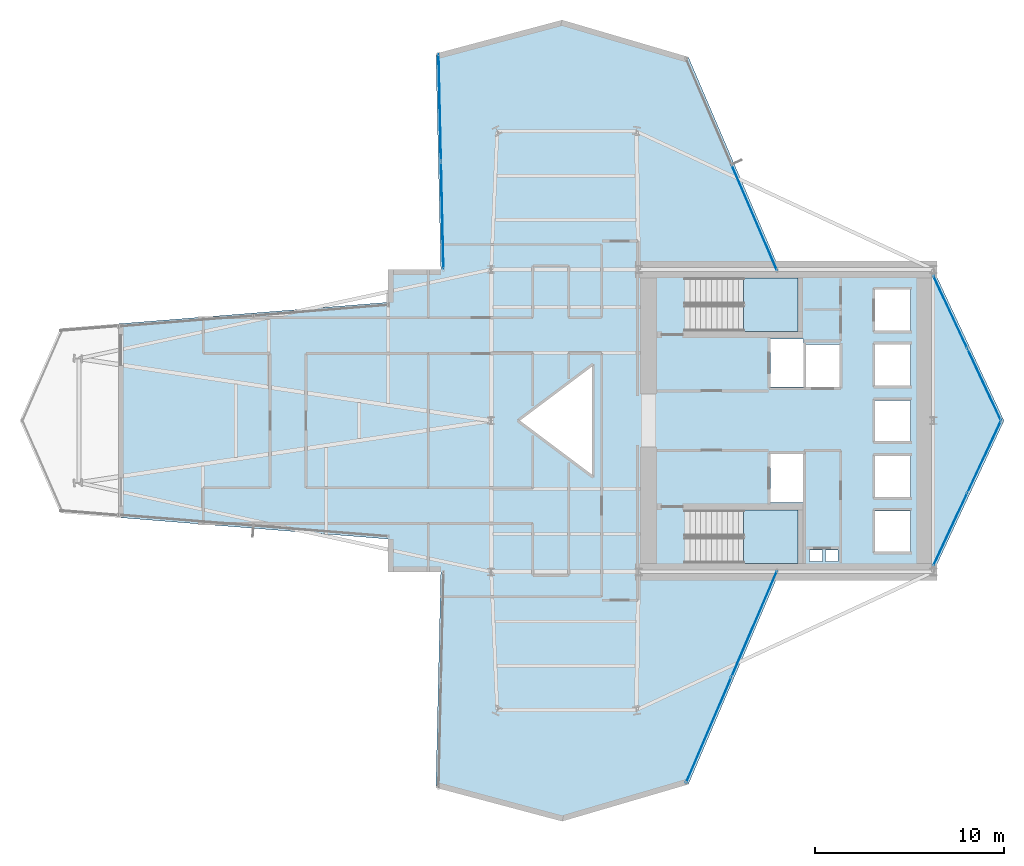
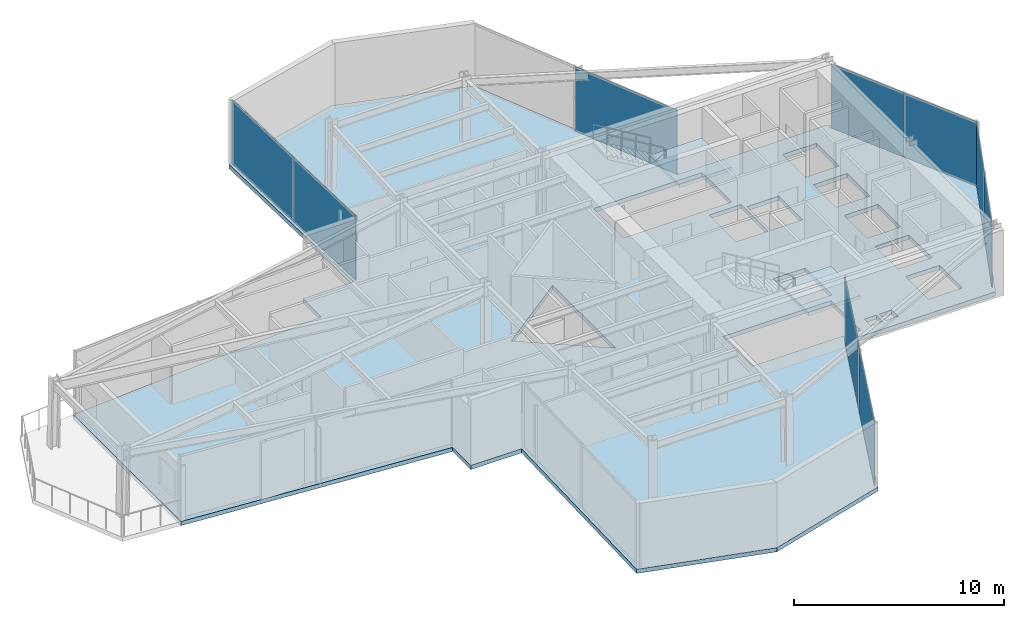
# One storey, part 21 of 27: 9 plates, 3 slabs, 7 elements without a shape of their own.
"""IFC4 building model written with IfcOpenShell, lengths in metres."""

from ifc_helpers import new_model, si_unit, direction, frame, origin, origin_2d, place, context, subcontext, project, spatial, polyline, rectangle, outline, extrude, material, layer, layer_set, type_object, element, aggregate, save


model = new_model("IFC4")

# Units and contexts
model_context = context("Model", 3, precision=1e-05, world=origin(), true_north=direction((0.0, 1.0)))
body_context = subcontext(model_context, "Body", "Model", "MODEL_VIEW")
ifc_project = project(units=[si_unit("LENGTHUNIT", "METRE"), si_unit("AREAUNIT", "SQUARE_METRE"), si_unit("VOLUMEUNIT", "CUBIC_METRE"), si_unit("PLANEANGLEUNIT", "RADIAN"), si_unit("MASSUNIT", "GRAM", prefix="KILO")], contexts=[model_context])

# Site, building, storey
site_placement = place(None, origin())
site = spatial("IfcSite", under=ifc_project, at=site_placement, CompositionType="ELEMENT")
building_placement = place(site_placement, origin())
building = spatial("IfcBuilding", under=site, at=building_placement, Name="Veymaron Broadcast Tower", CompositionType="ELEMENT")
storey_placement = place(building_placement, frame((0.0, 0.0, 86.39990234375)))
storey = spatial("IfcBuildingStorey", under=building, at=storey_placement, Name="L19", CompositionType="ELEMENT", Elevation=86.39990234375)

# Curtain wall, plates
ifc_material_1 = material(Name="Anodised aluminium AA 6063-T6 and laminated low-E dark glass", Category="aluminium")
ifc_layer_1 = layer(ifc_material_1, 0.179931640625)
ifc_layer_set_1 = layer_set([ifc_layer_1], Name="Anodised aluminium AA 6063-T6 and laminated low-E dark glass")
curtain_wall_type = type_object("IfcCurtainWallType", Name="CW-SYS-02", PredefinedType="NOTDEFINED", material=ifc_layer_set_1)
curtain_wall_1_placement = place(storey_placement, origin())
curtain_wall_1 = element("IfcCurtainWall", 1, at=curtain_wall_1_placement, inside=storey, type_object=curtain_wall_type, Name="L19 dark-glass curtain wall CW-L19-E1-1", PredefinedType="NOTDEFINED")
ifc_material_2 = material(Name="Double-silver solar-control dark glass IGU 32 mm", Category="glass")
ifc_layer_2 = layer(ifc_material_2, 0.031982421875)
ifc_layer_set_2 = layer_set([ifc_layer_2], Name="Double-silver solar-control dark glass IGU 32 mm")
plate_type = type_object("IfcPlateType", Name="CW-PNL-02", PredefinedType="CURTAIN_PANEL", material=ifc_layer_set_2)
plate_1_placement = place(storey_placement, frame((42.711181640625, 7.628173828125, 0.0400390625), z_axis=(0.0, 0.0, 1.0), x_axis=(0.394407075311, 0.918935829612, 0.0)))
plate_1 = element("IfcPlate", 2, at=plate_1_placement, type_object=plate_type, Name="CW-L19-E1-1 unitised curtain panel 0", PredefinedType="CURTAIN_PANEL", context=body_context, shape_type="SweptSolid", body=[
    extrude(rectangle(XDim=6.0537109375, YDim=0.031982421875, at=origin_2d()), origin(), (0.0, 0.0, 1.0), 3.72998046875),
])
plate_2_placement = place(storey_placement, frame((45.122314453125, 13.24609375, 0.0400390625), z_axis=(0.0, 0.0, 1.0), x_axis=(0.394407075311, 0.918935829612, 0.0)))
plate_2 = element("IfcPlate", 3, at=plate_2_placement, type_object=plate_type, Name="CW-L19-E1-1 unitised curtain panel 1", PredefinedType="CURTAIN_PANEL", context=body_context, shape_type="SweptSolid", body=[
    extrude(rectangle(XDim=6.0537109375, YDim=0.031982421875, at=origin_2d()), origin(), (0.0, 0.0, 1.0), 3.72998046875),
])
aggregate(curtain_wall_1, [plate_1, plate_2])

curtain_wall_2_placement = place(storey_placement, origin())
curtain_wall_2 = element("IfcCurtainWall", 4, at=curtain_wall_2_placement, inside=storey, type_object=curtain_wall_type, Name="L19 dark-glass curtain wall CW-L19-E3-1", PredefinedType="NOTDEFINED")
plate_3_placement = place(storey_placement, frame((55.497802734375, 18.251953125, 0.0400390625), z_axis=(0.0, 0.0, 1.0), x_axis=(0.423329943793, 0.905975583936, 0.0)))
plate_3 = element("IfcPlate", 5, at=plate_3_placement, type_object=plate_type, Name="CW-L19-E3-1 unitised curtain panel 0", PredefinedType="CURTAIN_PANEL", context=body_context, shape_type="SweptSolid", body=[
    extrude(rectangle(XDim=4.21337890625, YDim=0.031982421875, at=origin_2d()), origin(), (0.0, 0.0, 1.0), 3.72998046875),
])
plate_4_placement = place(storey_placement, frame((57.306640625, 22.12353515625, 0.0400390625), z_axis=(0.0, 0.0, 1.0), x_axis=(0.423329943793, 0.905975583936, 0.0)))
plate_4 = element("IfcPlate", 6, at=plate_4_placement, type_object=plate_type, Name="CW-L19-E3-1 unitised curtain panel 1", PredefinedType="CURTAIN_PANEL", context=body_context, shape_type="SweptSolid", body=[
    extrude(rectangle(XDim=4.21337890625, YDim=0.031982421875, at=origin_2d()), origin(), (0.0, 0.0, 1.0), 3.72998046875),
])
aggregate(curtain_wall_2, [plate_3, plate_4])

curtain_wall_3_placement = place(storey_placement, origin())
curtain_wall_3 = element("IfcCurtainWall", 7, at=curtain_wall_3_placement, inside=storey, type_object=curtain_wall_type, Name="L19 dark-glass curtain wall CW-L19-E4-1", PredefinedType="NOTDEFINED")
plate_5_placement = place(storey_placement, frame((57.306640625, 25.87646484375, 0.0400390625), z_axis=(0.0, 0.0, 1.0), x_axis=(-0.423329943793, 0.905975583936, 0.0)))
plate_5 = element("IfcPlate", 8, at=plate_5_placement, type_object=plate_type, Name="CW-L19-E4-1 unitised curtain panel 0", PredefinedType="CURTAIN_PANEL", context=body_context, shape_type="SweptSolid", body=[
    extrude(rectangle(XDim=4.21337890625, YDim=0.031982421875, at=origin_2d()), origin(), (0.0, 0.0, 1.0), 3.72998046875),
])
plate_6_placement = place(storey_placement, frame((55.497802734375, 29.748046875, 0.0400390625), z_axis=(0.0, 0.0, 1.0), x_axis=(-0.423329943793, 0.905975583936, 0.0)))
plate_6 = element("IfcPlate", 9, at=plate_6_placement, type_object=plate_type, Name="CW-L19-E4-1 unitised curtain panel 1", PredefinedType="CURTAIN_PANEL", context=body_context, shape_type="SweptSolid", body=[
    extrude(rectangle(XDim=4.21337890625, YDim=0.031982421875, at=origin_2d()), origin(), (0.0, 0.0, 1.0), 3.72998046875),
])
aggregate(curtain_wall_3, [plate_5, plate_6])

# Curtain wall, plate
curtain_wall_4_placement = place(storey_placement, origin())
curtain_wall_4 = element("IfcCurtainWall", 10, at=curtain_wall_4_placement, inside=storey, type_object=curtain_wall_type, Name="L19 dark-glass curtain wall CW-L19-E6-1", PredefinedType="NOTDEFINED")
plate_7_placement = place(storey_placement, frame((45.122314453125, 34.75390625, 0.0400390625), z_axis=(0.0, 0.0, 1.0), x_axis=(-0.394407075311, 0.918935829612, 0.0)))
plate_7 = element("IfcPlate", 11, at=plate_7_placement, type_object=plate_type, Name="CW-L19-E6-1 unitised curtain panel 0", PredefinedType="CURTAIN_PANEL", context=body_context, shape_type="SweptSolid", body=[
    extrude(rectangle(XDim=6.0537109375, YDim=0.031982421875, at=origin_2d()), origin(), (0.0, 0.0, 1.0), 3.72998046875),
])
aggregate(curtain_wall_4, [plate_7])

# Curtain wall, plates
curtain_wall_5_placement = place(storey_placement, origin())
curtain_wall_5 = element("IfcCurtainWall", 12, at=curtain_wall_5_placement, inside=storey, type_object=curtain_wall_type, Name="L19 dark-glass curtain wall CW-L19-E9-1", PredefinedType="NOTDEFINED")
plate_8_placement = place(storey_placement, frame((28.478759765625, 40.563720703125, 0.0400390625), z_axis=(0.0, 0.0, 1.0), x_axis=(0.022774577487, -0.999740625673, 0.0)))
plate_8 = element("IfcPlate", 13, at=plate_8_placement, type_object=plate_type, Name="CW-L19-E9-1 unitised curtain panel 0", PredefinedType="CURTAIN_PANEL", context=body_context, shape_type="SweptSolid", body=[
    extrude(rectangle(XDim=5.6484375, YDim=0.031982421875, at=origin_2d()), origin(), (0.0, 0.0, 1.0), 3.72998046875),
])
plate_9_placement = place(storey_placement, frame((28.60888671875, 34.856689453125, 0.0400390625), z_axis=(0.0, 0.0, 1.0), x_axis=(0.022774577487, -0.999740625673, 0.0)))
plate_9 = element("IfcPlate", 14, at=plate_9_placement, type_object=plate_type, Name="CW-L19-E9-1 unitised curtain panel 1", PredefinedType="CURTAIN_PANEL", context=body_context, shape_type="SweptSolid", body=[
    extrude(rectangle(XDim=5.6484375, YDim=0.031982421875, at=origin_2d()), origin(), (0.0, 0.0, 1.0), 3.72998046875),
])
aggregate(curtain_wall_5, [plate_8, plate_9])

# Slab
ifc_material_3 = material(Name="Concrete C40/50", Category="concrete")
ifc_layer_3 = layer(ifc_material_3, 0.239990234375)
ifc_layer_set_3 = layer_set([ifc_layer_3], Name="Concrete C40/50")
slab_type_1 = type_object("IfcSlabType", Name="SLAB-FS6", PredefinedType="FLOOR", material=ifc_layer_set_3)
slab_1_placement = place(storey_placement, frame((0.0, 0.0, -0.239990234375)))
element("IfcSlab", 15, at=slab_1_placement, inside=storey, type_object=slab_type_1, Name="L19 structural floor slab", PredefinedType="FLOOR", context=body_context, shape_type="SweptSolid", body=[
    extrude(outline(polyline([(41.63427734375, 4.763916015625), (46.45654296875, 16.0), (54.60009765625, 16.0), (58.337890625, 24.0), (54.60009765625, 32.0), (46.45654296875, 32.0), (41.63427734375, 43.236083984375), (34.9541015625, 45.194091796875), (28.273681640625, 43.4140625), (28.53369140625, 32.0), (25.751953125, 32.0), (25.751953125, 30.263916015625), (11.464111328125, 29.125732421875), (11.464111328125, 18.874267578125), (25.751953125, 17.736083984375), (25.751953125, 16.0), (28.53369140625, 16.0), (28.273681640625, 4.5859375), (34.9541015625, 2.805908203125), (41.63427734375, 4.763916015625)]), holes=[polyline([(45.969970703125, 28.330078125), (47.72998046875, 28.330078125), (47.72998046875, 25.77001953125), (45.969970703125, 25.77001953125), (45.969970703125, 28.330078125)]), polyline([(45.969970703125, 22.22998046875), (47.72998046875, 22.22998046875), (47.72998046875, 19.669921875), (45.969970703125, 19.669921875), (45.969970703125, 22.22998046875)]), polyline([(47.8701171875, 28.030029296875), (49.6298828125, 28.030029296875), (49.6298828125, 25.77001953125), (47.8701171875, 25.77001953125), (47.8701171875, 28.030029296875)]), polyline([(51.52001953125, 30.929931640625), (53.3798828125, 30.929931640625), (53.3798828125, 28.77001953125), (51.52001953125, 28.77001953125), (51.52001953125, 30.929931640625)]), polyline([(51.52001953125, 28.030029296875), (53.3798828125, 28.030029296875), (53.3798828125, 25.8701171875), (51.52001953125, 25.8701171875), (51.52001953125, 28.030029296875)]), polyline([(51.52001953125, 22.1298828125), (53.3798828125, 22.1298828125), (53.3798828125, 19.969970703125), (51.52001953125, 19.969970703125), (51.52001953125, 22.1298828125)]), polyline([(51.52001953125, 25.080078125), (53.3798828125, 25.080078125), (53.3798828125, 22.919921875), (51.52001953125, 22.919921875), (51.52001953125, 25.080078125)]), polyline([(51.52001953125, 19.22998046875), (53.3798828125, 19.22998046875), (53.3798828125, 17.070068359375), (51.52001953125, 17.070068359375), (51.52001953125, 19.22998046875)]), polyline([(48.050048828125, 17.159912109375), (48.719970703125, 17.159912109375), (48.719970703125, 16.56005859375), (48.050048828125, 16.56005859375), (48.050048828125, 17.159912109375)]), polyline([(48.8798828125, 17.159912109375), (49.550048828125, 17.159912109375), (49.550048828125, 16.56005859375), (48.8798828125, 16.56005859375), (48.8798828125, 17.159912109375)]), polyline([(36.60009765625, 27.0), (36.60009765625, 21.0), (32.60009765625, 24.0), (36.60009765625, 27.0)]), polyline([(41.489990234375, 31.550048828125), (47.43994140625, 31.550048828125), (47.43994140625, 28.72998046875), (41.489990234375, 28.72998046875), (41.489990234375, 31.550048828125)]), polyline([(41.489990234375, 19.27001953125), (47.43994140625, 19.27001953125), (47.43994140625, 16.449951171875), (41.489990234375, 16.449951171875), (41.489990234375, 19.27001953125)])]), origin(), (0.0, 0.0, 1.0), 0.239990234375),
])

# Stair, slab
ifc_material_4 = material(Name="Concrete C50/60", Category="concrete")
stair_type_1 = type_object("IfcStairType", Name="STAIR-CORE-1", PredefinedType="HALF_TURN_STAIR", material=ifc_material_4)
stair_1_placement = place(storey_placement, origin())
stair_1 = element("IfcStair", 16, at=stair_1_placement, inside=storey, type_object=stair_type_1, Name="L19 North protected dog-leg exit stair ST1", PredefinedType="HALF_TURN_STAIR")
ifc_layer_4 = layer(ifc_material_4, 0.199951171875)
ifc_layer_set_4 = layer_set([ifc_layer_4], Name="Concrete C50/60")
slab_type_2 = type_object("IfcSlabType", Name="SLAB-STAIR-LDG", PredefinedType="LANDING", material=ifc_layer_set_4)
slab_2_placement = place(storey_placement, frame((0.0, 0.0, 1.8251953125)))
slab_2 = element("IfcSlab", 17, at=slab_2_placement, type_object=slab_type_2, Name="ST1 landing 1", PredefinedType="LANDING", context=body_context, shape_type="SweptSolid", body=[
    extrude(outline(polyline([(44.56494140625, 28.72998046875), (47.43994140625, 28.72998046875), (47.43994140625, 31.550048828125), (44.56494140625, 31.550048828125), (44.56494140625, 28.72998046875)])), origin(), (0.0, 0.0, 1.0), 0.199951171875),
])
aggregate(stair_1, [slab_2])

stair_type_2 = type_object("IfcStairType", Name="STAIR-CORE-2", PredefinedType="HALF_TURN_STAIR", material=ifc_material_4)
stair_2_placement = place(storey_placement, origin())
stair_2 = element("IfcStair", 18, at=stair_2_placement, inside=storey, type_object=stair_type_2, Name="L19 South protected dog-leg exit stair ST2", PredefinedType="HALF_TURN_STAIR")
slab_3_placement = place(storey_placement, frame((0.0, 0.0, 1.8251953125)))
slab_3 = element("IfcSlab", 19, at=slab_3_placement, type_object=slab_type_2, Name="ST2 landing 1", PredefinedType="LANDING", context=body_context, shape_type="SweptSolid", body=[
    extrude(outline(polyline([(44.56494140625, 16.449951171875), (47.43994140625, 16.449951171875), (47.43994140625, 19.27001953125), (44.56494140625, 19.27001953125), (44.56494140625, 16.449951171875)])), origin(), (0.0, 0.0, 1.0), 0.199951171875),
])
aggregate(stair_2, [slab_3])

save(model, "model.ifc")
